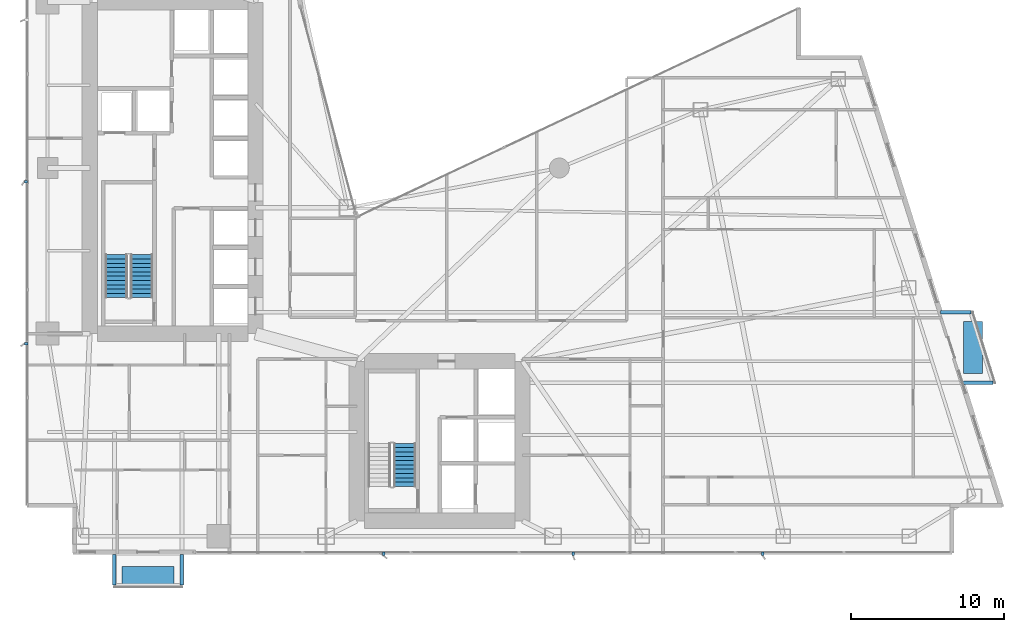
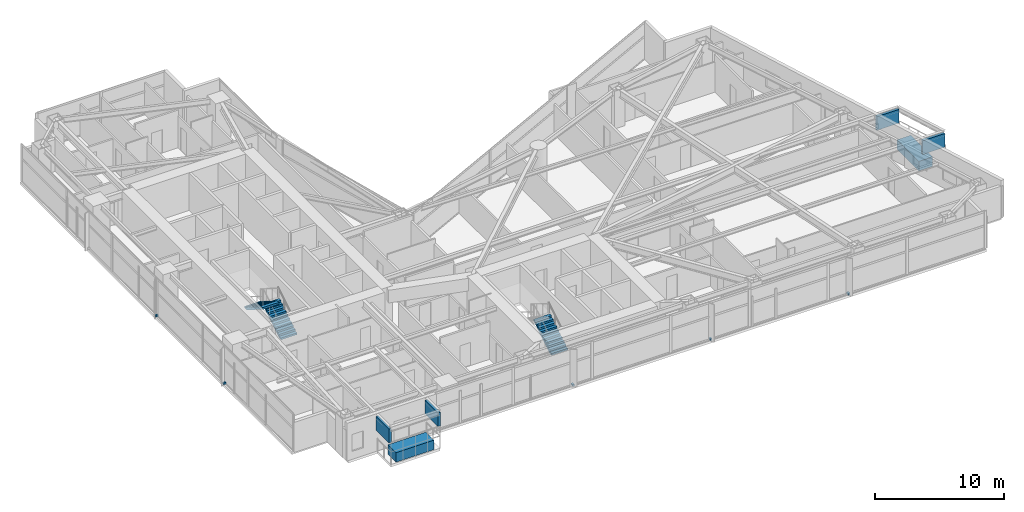
# One storey, part 26 of 29: 11 discrete accessories, 3 stair flights, 2 elements without a shape of their own.
"""IFC4 building model written with IfcOpenShell, lengths in metres."""

from ifc_helpers import new_model, si_unit, direction, frame, origin, origin_2d, place, context, subcontext, project, spatial, polyline, rectangle, outline, extrude, material, type_object, element, aggregate, save


model = new_model("IFC4")

# Units and contexts
model_context = context("Model", 3, precision=1e-05, world=origin(), true_north=direction((0.0, 1.0)))
body_context = subcontext(model_context, "Body", "Model", "MODEL_VIEW")
ifc_project = project(units=[si_unit("LENGTHUNIT", "METRE"), si_unit("AREAUNIT", "SQUARE_METRE"), si_unit("VOLUMEUNIT", "CUBIC_METRE"), si_unit("PLANEANGLEUNIT", "RADIAN"), si_unit("MASSUNIT", "GRAM", prefix="KILO")], contexts=[model_context])

# Site, building, storey
site_placement = place(None, origin())
site = spatial("IfcSite", under=ifc_project, at=site_placement, CompositionType="ELEMENT")
building_placement = place(site_placement, origin())
building = spatial("IfcBuilding", under=site, at=building_placement, Name="Calvorn Quay Hotel", CompositionType="ELEMENT")
storey_placement = place(building_placement, frame((0.0, 0.0, 58.39990234375)))
storey = spatial("IfcBuildingStorey", under=building, at=storey_placement, Name="L13", CompositionType="ELEMENT", Elevation=58.39990234375)

# Stair, stair flights
ifc_material_1 = material(Name="Concrete C40", Category="concrete")
stair_type = type_object("IfcStairType", Name="STR-CORE-DOGLEG", PredefinedType="HALF_TURN_STAIR", material=ifc_material_1)
stair_1_placement = place(storey_placement, origin())
stair_1 = element("IfcStair", 1, at=stair_1_placement, inside=storey, type_object=stair_type, Name="L13 ST-W", PredefinedType="HALF_TURN_STAIR")
ifc_material_2 = material(Name="Concrete C40", Category="concrete")
stair_flight_type = type_object("IfcStairFlightType", Name="FLT-CORE-1550", PredefinedType="STRAIGHT", material=ifc_material_2)
stair_flight_1_placement = place(storey_placement, frame((7.574951171875, 19.14990234375, 0.0), z_axis=(0.0, 0.0, 1.0), x_axis=(0.0, 1.0, 0.0)))
stair_flight_1 = element("IfcStairFlight", 2, at=stair_flight_1_placement, type_object=stair_flight_type, Name="ST-W flight 1", NumberOfRisers=11, NumberOfTreads=10, PredefinedType="STRAIGHT", RiserHeight=0.172727273, TreadLength=0.28, context=body_context, shape_type="SweptSolid", body=[
    extrude(outline(polyline([(0.0, 0.0), (0.0, 0.172607421875), (0.280029296875, 0.172607421875), (0.280029296875, 0.345458984375), (0.56005859375, 0.345458984375), (0.56005859375, 0.51806640625), (0.840087890625, 0.51806640625), (0.840087890625, 0.69091796875), (1.1201171875, 0.69091796875), (1.1201171875, 0.863525390625), (1.39990234375, 0.863525390625), (1.39990234375, 1.036376953125), (1.679931640625, 1.036376953125), (1.679931640625, 1.208984375), (1.9599609375, 1.208984375), (1.9599609375, 1.3818359375), (2.239990234375, 1.3818359375), (2.239990234375, 1.554443359375), (2.52001953125, 1.554443359375), (2.52001953125, 1.727294921875), (2.800048828125, 1.727294921875), (2.800048828125, 1.89990234375), (2.800048828125, 1.551025390625), (0.285400390625, 0.0), (0.0, 0.0)])), frame((0.0, 0.72509765625, 0.0), z_axis=(0.0, -1.0, 0.0), x_axis=(1.0, 0.0, 0.0)), (0.0, 0.0, 1.0), 1.449951171875),
])
stair_flight_2_placement = place(storey_placement, frame((5.925048828125, 21.949951171875, 1.900146484375), z_axis=(0.0, 0.0, 1.0), x_axis=(0.0, -1.0, 0.0)))
stair_flight_2 = element("IfcStairFlight", 3, at=stair_flight_2_placement, type_object=stair_flight_type, Name="ST-W flight 2", NumberOfRisers=11, NumberOfTreads=10, PredefinedType="STRAIGHT", RiserHeight=0.172727273, TreadLength=0.28, context=body_context, shape_type="SweptSolid", body=[
    extrude(outline(polyline([(0.0, 0.0), (0.0, 0.172607421875), (0.280029296875, 0.172607421875), (0.280029296875, 0.345458984375), (0.56005859375, 0.345458984375), (0.56005859375, 0.51806640625), (0.840087890625, 0.51806640625), (0.840087890625, 0.69091796875), (1.1201171875, 0.69091796875), (1.1201171875, 0.863525390625), (1.39990234375, 0.863525390625), (1.39990234375, 1.036376953125), (1.679931640625, 1.036376953125), (1.679931640625, 1.208984375), (1.9599609375, 1.208984375), (1.9599609375, 1.3818359375), (2.239990234375, 1.3818359375), (2.239990234375, 1.554443359375), (2.52001953125, 1.554443359375), (2.52001953125, 1.727294921875), (2.800048828125, 1.727294921875), (2.800048828125, 1.89990234375), (2.800048828125, 1.551025390625), (0.285400390625, 0.0), (0.0, 0.0)])), frame((0.0, 0.72509765625, 0.0), z_axis=(0.0, -1.0, 0.0), x_axis=(1.0, 0.0, 0.0)), (0.0, 0.0, 1.0), 1.449951171875),
])
aggregate(stair_1, [stair_flight_1, stair_flight_2])

# Stair, stair flight
stair_2_placement = place(storey_placement, origin())
stair_2 = element("IfcStair", 4, at=stair_2_placement, inside=storey, type_object=stair_type, Name="L13 ST-E", PredefinedType="HALF_TURN_STAIR")
stair_flight_3_placement = place(storey_placement, frame((24.72509765625, 6.85009765625, 0.0), z_axis=(0.0, 0.0, 1.0), x_axis=(0.0, 1.0, 0.0)))
stair_flight_3 = element("IfcStairFlight", 5, at=stair_flight_3_placement, type_object=stair_flight_type, Name="ST-E flight 1", NumberOfRisers=11, NumberOfTreads=10, PredefinedType="STRAIGHT", RiserHeight=0.172727273, TreadLength=0.28, context=body_context, shape_type="SweptSolid", body=[
    extrude(outline(polyline([(0.0, 0.0), (0.0, 0.172607421875), (0.280029296875, 0.172607421875), (0.280029296875, 0.345458984375), (0.56005859375, 0.345458984375), (0.56005859375, 0.51806640625), (0.840087890625, 0.51806640625), (0.840087890625, 0.69091796875), (1.1201171875, 0.69091796875), (1.1201171875, 0.863525390625), (1.39990234375, 0.863525390625), (1.39990234375, 1.036376953125), (1.679931640625, 1.036376953125), (1.679931640625, 1.208984375), (1.9599609375, 1.208984375), (1.9599609375, 1.3818359375), (2.239990234375, 1.3818359375), (2.239990234375, 1.554443359375), (2.52001953125, 1.554443359375), (2.52001953125, 1.727294921875), (2.800048828125, 1.727294921875), (2.800048828125, 1.89990234375), (2.800048828125, 1.551025390625), (0.285400390625, 0.0), (0.0, 0.0)])), frame((0.0, 0.72509765625, 0.0), z_axis=(0.0, -1.0, 0.0), x_axis=(1.0, 0.0, 0.0)), (0.0, 0.0, 1.0), 1.449951171875),
])
aggregate(stair_2, [stair_flight_3])

# Discrete accessories
ifc_material_3 = material(Name="Steel Q355B", Category="steel")
discrete_accessory_type_1 = type_object("IfcDiscreteAccessoryType", Name="ACC-BALC-STRUT", PredefinedType="BRACKET", material=ifc_material_3)
for number, where, z_axis, x_axis, name in (
    (6, (62.073974609375, 13.60009765625, 2.01513671875), (0.0, 0.0, 1.0), (1.0, 0.0, 0.0), "Exterior Balcony Steel Bracket L14-BALC-E-A"),
    (7, (60.625, 18.199951171875, 2.01513671875), (0.0, 0.0, 1.0), (1.0, 0.0, 0.0), "Exterior Balcony Steel Bracket L14-BALC-E-B"),
):
    element("IfcDiscreteAccessory", number, at=place(storey_placement, frame(where, z_axis=z_axis, x_axis=x_axis)), inside=storey, type_object=discrete_accessory_type_1, Name=name, PredefinedType="BRACKET", context=body_context, shape_type="SweptSolid", body=[
        extrude(rectangle(XDim=1.989990234375, YDim=0.219970703125, at=origin_2d()), origin(), (0.0, 0.0, 1.0), 1.300048828125),
    ])
for number, where, z_axis, x_axis, name in (
    (8, (5.800048828125, 1.405029296875, 2.01513671875), (0.0, 0.0, 1.0), (1.0, 0.0, 0.0), "Exterior Balcony Steel Bracket L14-BALC-S-A"),
    (9, (10.199951171875, 1.405029296875, 2.01513671875), (0.0, 0.0, 1.0), (1.0, 0.0, 0.0), "Exterior Balcony Steel Bracket L14-BALC-S-B"),
):
    element("IfcDiscreteAccessory", number, at=place(storey_placement, frame(where, z_axis=z_axis, x_axis=x_axis)), inside=storey, type_object=discrete_accessory_type_1, Name=name, PredefinedType="BRACKET", context=body_context, shape_type="SweptSolid", body=[
        extrude(rectangle(XDim=0.219970703125, YDim=1.989990234375, at=origin_2d()), origin(), (0.0, 0.0, 1.0), 1.300048828125),
    ])
ifc_material_4 = material(Name="Steel Q355B", Category="steel")
discrete_accessory_type_2 = type_object("IfcDiscreteAccessoryType", Name="ACC-FIN-BRACKET", PredefinedType="BRACKET", material=ifc_material_4)
for number, where, z_axis, x_axis, name in (
    (10, (0.06005859375, 16.14990234375, 0.0302734375), (0.0, 0.0, 1.0), (1.0, 0.0, 0.0), "Fin Anchor Bracket L13-W01"),
    (11, (0.06005859375, 26.699951171875, 0.0302734375), (0.0, 0.0, 1.0), (1.0, 0.0, 0.0), "Fin Anchor Bracket L13-W02"),
    (12, (23.35009765625, 2.4599609375, 0.0302734375), (0.0, 0.0, 1.0), (0.0, 1.0, 0.0), "Fin Anchor Bracket L13-S01"),
    (13, (35.699951171875, 2.4599609375, 0.0302734375), (0.0, 0.0, 1.0), (0.0, 1.0, 0.0), "Fin Anchor Bracket L13-S02"),
    (14, (48.050048828125, 2.4599609375, 0.0302734375), (0.0, 0.0, 1.0), (0.0, 1.0, 0.0), "Fin Anchor Bracket L13-S03"),
):
    element("IfcDiscreteAccessory", number, at=place(storey_placement, frame(where, z_axis=z_axis, x_axis=x_axis)), inside=storey, type_object=discrete_accessory_type_2, Name=name, PredefinedType="BRACKET", context=body_context, shape_type="SweptSolid", body=[
        extrude(rectangle(XDim=0.239990234375, YDim=0.159912109375, at=origin_2d()), origin(), (0.0, 0.0, 1.0), 0.179931640625),
    ])
ifc_material_5 = material(Name="Precast concrete C40", Category="concrete")
discrete_accessory_type_3 = type_object("IfcDiscreteAccessoryType", Name="ACC-TREE-PLANTER", PredefinedType="USERDEFINED", material=ifc_material_5)
discrete_accessory_1_placement = place(storey_placement, frame((61.763916015625, 15.89990234375, 0.000244140625), z_axis=(0.0, 0.0, 1.0), x_axis=(1.0, 0.0, 0.0)))
element("IfcDiscreteAccessory", 15, at=discrete_accessory_1_placement, inside=storey, type_object=discrete_accessory_type_3, Name="Subtropical Tree Structural Planter L13-BALC-E", ObjectType="PLANTER", PredefinedType="USERDEFINED", context=body_context, shape_type="SweptSolid", body=[
    extrude(rectangle(XDim=1.25, YDim=3.39990234375, at=origin_2d()), origin(), (0.0, 0.0, 1.0), 0.89990234375),
])
discrete_accessory_2_placement = place(storey_placement, frame((8.0, 0.989990234375, 0.000244140625), z_axis=(0.0, 0.0, 1.0), x_axis=(1.0, 0.0, 0.0)))
element("IfcDiscreteAccessory", 16, at=discrete_accessory_2_placement, inside=storey, type_object=discrete_accessory_type_3, Name="Subtropical Tree Structural Planter L13-BALC-S", ObjectType="PLANTER", PredefinedType="USERDEFINED", context=body_context, shape_type="SweptSolid", body=[
    extrude(rectangle(XDim=3.39990234375, YDim=1.25, at=origin_2d()), origin(), (0.0, 0.0, 1.0), 0.89990234375),
])

save(model, "model.ifc")
